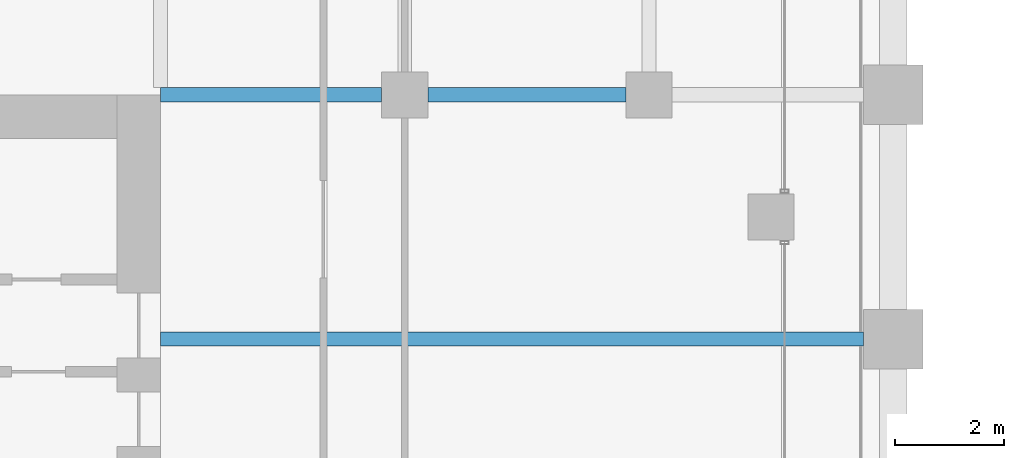
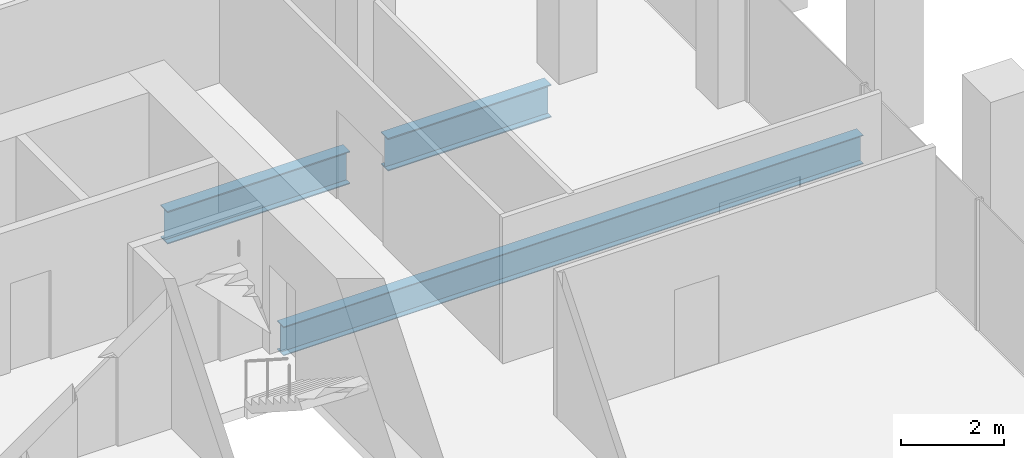
# One storey, part 21 of 54: 3 beams.
"""IFC4 building model written with IfcOpenShell, lengths in metres."""

from ifc_helpers import new_model, si_unit, direction, frame, origin, origin_2d, place, context, subcontext, project, spatial, i_section, extrude, material, material_profile, profile_set, type_object, element, save


model = new_model("IFC4")

# Units and contexts
model_context = context("Model", 3, precision=1e-05, world=origin(), true_north=direction((0.0, 1.0)))
body_context = subcontext(model_context, "Body", "Model", "MODEL_VIEW")
ifc_project = project(units=[si_unit("LENGTHUNIT", "METRE"), si_unit("AREAUNIT", "SQUARE_METRE"), si_unit("VOLUMEUNIT", "CUBIC_METRE"), si_unit("PLANEANGLEUNIT", "RADIAN"), si_unit("MASSUNIT", "GRAM", prefix="KILO")], contexts=[model_context])

# Site, building, storey
site_placement = place(None, origin())
site = spatial("IfcSite", under=ifc_project, at=site_placement, CompositionType="ELEMENT")
building_placement = place(site_placement, origin())
building = spatial("IfcBuilding", under=site, at=building_placement, Name="Altepetl Exchange Towers", CompositionType="ELEMENT")
storey_placement = place(building_placement, frame((0.0, 0.0, 61.800048828125)))
storey = spatial("IfcBuildingStorey", under=building, at=storey_placement, Name="L14", CompositionType="ELEMENT", Elevation=61.800048828125)

# Beams
ifc_material = material(Name="Steel S355", Category="steel")
ifc_material_profile_1 = material_profile(ifc_material, i_section(OverallWidth=0.25390625, OverallDepth=0.68408203125, WebThickness=0.012451171875, FlangeThickness=0.018798828125, at=origin_2d()), Name="W27X94")
ifc_profile_set_1 = profile_set([ifc_material_profile_1], Name="Steel S355")
beam_type_1 = type_object("IfcBeamType", Name="Floor beam W27X94", PredefinedType="BEAM", material=ifc_profile_set_1)
beam_1_placement = place(storey_placement, frame((58.5, 54.0, -0.491943359375), z_axis=(1.0, 0.0, 0.0), x_axis=(0.0, 1.0, 0.0)))
element("IfcBeam", 1, at=beam_1_placement, inside=storey, type_object=beam_type_1, Name="bm:A:L14:011", PredefinedType="BEAM", context=body_context, shape_type="SweptSolid", body=[
    extrude(i_section(OverallWidth=0.25390625, OverallDepth=0.68408203125, WebThickness=0.012451171875, FlangeThickness=0.018798828125, at=origin_2d()), origin(), (0.0, 0.0, 1.0), 12.949951171875),
])
ifc_material_profile_2 = material_profile(ifc_material, i_section(OverallWidth=0.26806640625, OverallDepth=0.77392578125, WebThickness=0.015380859375, FlangeThickness=0.025390625, at=origin_2d()), Name="W30X132")
ifc_profile_set_2 = profile_set([ifc_material_profile_2], Name="Steel S355")
beam_type_2 = type_object("IfcBeamType", Name="Girder W30X132", PredefinedType="BEAM", material=ifc_profile_set_2)
beam_2_placement = place(storey_placement, frame((58.5, 58.5, -0.537109375), z_axis=(1.0, 0.0, 0.0), x_axis=(0.0, 1.0, 0.0)))
element("IfcBeam", 2, at=beam_2_placement, inside=storey, type_object=beam_type_2, Name="gd:A:L14:000", PredefinedType="BEAM", context=body_context, shape_type="SweptSolid", body=[
    extrude(i_section(OverallWidth=0.26806640625, OverallDepth=0.77392578125, WebThickness=0.015380859375, FlangeThickness=0.025390625, at=origin_2d()), origin(), (0.0, 0.0, 1.0), 4.074951171875),
])
beam_3_placement = place(storey_placement, frame((63.425048828125, 58.5, -0.537109375), z_axis=(1.0, 0.0, 0.0), x_axis=(0.0, 1.0, 0.0)))
element("IfcBeam", 3, at=beam_3_placement, inside=storey, type_object=beam_type_2, Name="gd:A:L14:001", PredefinedType="BEAM", context=body_context, shape_type="SweptSolid", body=[
    extrude(i_section(OverallWidth=0.26806640625, OverallDepth=0.77392578125, WebThickness=0.015380859375, FlangeThickness=0.025390625, at=origin_2d()), origin(), (0.0, 0.0, 1.0), 3.64990234375),
])

save(model, "model.ifc")
